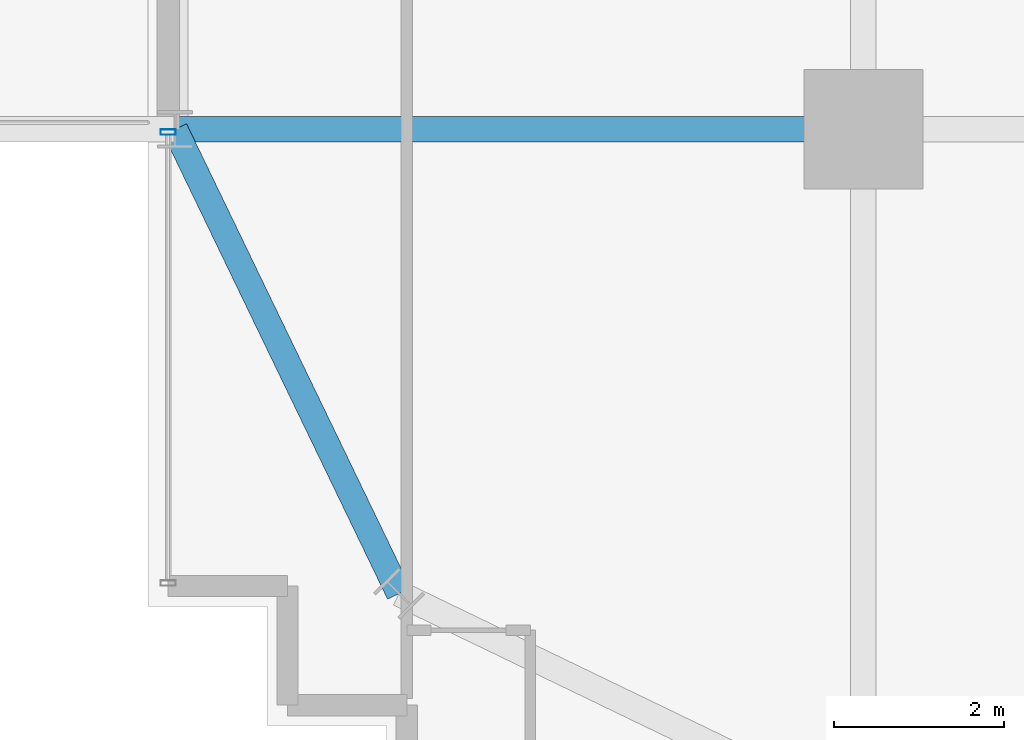
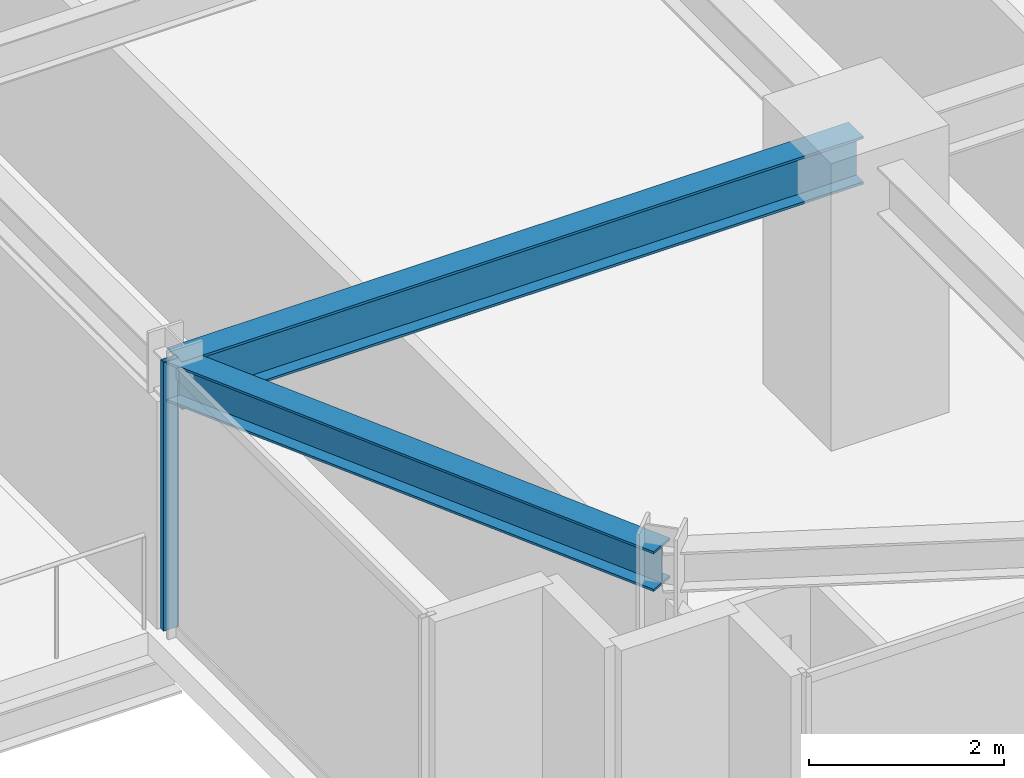
# One storey, part 5 of 37: 2 beams, 1 member, 1 element without a shape of its own.
"""IFC4 building model written with IfcOpenShell, lengths in metres."""

from ifc_helpers import new_model, si_unit, direction, frame, origin, origin_2d, place, context, subcontext, project, spatial, hollow_rectangle, i_section, extrude, source, transform, mapped, material, material_profile, profile_set, type_object, element, aggregate, save


model = new_model("IFC4")

# Units and contexts
model_context = context("Model", 3, precision=1e-05, world=origin(), true_north=direction((0.0, 1.0)))
body_context = subcontext(model_context, "Body", "Model", "MODEL_VIEW")
ifc_project = project(units=[si_unit("LENGTHUNIT", "METRE"), si_unit("AREAUNIT", "SQUARE_METRE"), si_unit("VOLUMEUNIT", "CUBIC_METRE"), si_unit("PLANEANGLEUNIT", "RADIAN"), si_unit("MASSUNIT", "GRAM", prefix="KILO")], contexts=[model_context])

# Site, building, storey
site_placement = place(None, origin())
site = spatial("IfcSite", under=ifc_project, at=site_placement, CompositionType="ELEMENT")
building_placement = place(site_placement, origin())
building = spatial("IfcBuilding", under=site, at=building_placement, Name="Nahalor Promenade Grand Hotel", CompositionType="ELEMENT")
storey_placement = place(building_placement, frame((0.0, 0.0, 36.050048828125)))
storey = spatial("IfcBuildingStorey", under=building, at=storey_placement, Name="L07", CompositionType="ELEMENT", Elevation=36.050048828125)

# Beams
ifc_material_1 = material(Name="Steel S355JR", Category="steel")
ifc_material_profile_1 = material_profile(ifc_material_1, i_section(OverallWidth=0.3, OverallDepth=0.6, WebThickness=0.0155, FlangeThickness=0.03, at=origin_2d()), Name="HEB 600")
ifc_profile_set_1 = profile_set([ifc_material_profile_1], Name="Steel S355JR")
beam_type_1 = type_object("IfcBeamType", Name="Beam-Girder-HEB600", PredefinedType="BEAM", material=ifc_profile_set_1)
shared_shape_1 = source(origin(), body_context, "Body", "SweptSolid", [
    extrude(i_section(OverallWidth=0.3, OverallDepth=0.6, WebThickness=0.0155, FlangeThickness=0.03, at=origin_2d()), origin(), (0.0, 0.0, 1.0), 8.080078125),
])
beam_1_placement = place(storey_placement, frame((-25.080078125, -17.0, 3.070068359375), z_axis=(1.0, 0.0, 0.0), x_axis=(0.0, 1.0, 0.0)))
element("IfcBeam", 1, at=beam_1_placement, inside=storey, type_object=beam_type_1, Name="BM-L07-GX-0-0", PredefinedType="BEAM", context=body_context, shape_type="MappedRepresentation", body=[
    mapped(shared_shape_1, transform((0.0, 0.0, 0.0), scale=1.0)),
])
ifc_material_profile_2 = material_profile(ifc_material_1, i_section(OverallWidth=0.3, OverallDepth=0.5, WebThickness=0.0145, FlangeThickness=0.028, at=origin_2d()), Name="HEB 500")
ifc_profile_set_2 = profile_set([ifc_material_profile_2], Name="Steel S355JR")
beam_type_2 = type_object("IfcBeamType", Name="Beam-Spandrel-HEB500", PredefinedType="SPANDREL", material=ifc_profile_set_2)
shared_shape_2 = source(origin(), body_context, "Body", "SweptSolid", [
    extrude(i_section(OverallWidth=0.3, OverallDepth=0.5, WebThickness=0.0145, FlangeThickness=0.028, at=origin_2d()), origin(), (0.0, 0.0, 1.0), 6.051513671875),
])
beam_2_placement = place(storey_placement, frame((-22.449951171875, -22.449951171875, 3.119873046875), z_axis=(-0.434630596492, 0.900608818852, 0.0), x_axis=(-0.900608818852, -0.434630596492, 0.0)))
element("IfcBeam", 2, at=beam_2_placement, inside=storey, type_object=beam_type_2, Name="BM-L07-SPC-SW-2", PredefinedType="SPANDREL", context=body_context, shape_type="MappedRepresentation", body=[
    mapped(shared_shape_2, transform((0.0, 0.0, 0.0), scale=1.0)),
])

# Curtain wall, member
ifc_material_2 = material(Name="Anodised Bronze Aluminium EN AW-6063 T6", Category="aluminium")
curtain_wall_type = type_object("IfcCurtainWallType", Name="CW2 Typical Hotel Flush Bronze Unitised Curtain Wall", PredefinedType="USERDEFINED", material=ifc_material_2)
curtain_wall_placement = place(storey_placement, origin())
curtain_wall = element("IfcCurtainWall", 3, at=curtain_wall_placement, inside=storey, type_object=curtain_wall_type, Name="L07 Curtain Wall CW-L07-W-1", ObjectType="UNITISED_CURTAIN_WALL", PredefinedType="USERDEFINED")
ifc_material_profile_3 = material_profile(ifc_material_2, hollow_rectangle(XDim=0.065, YDim=0.18, WallThickness=0.004, at=origin_2d()), Name="CWM 65x180x4")
ifc_profile_set_3 = profile_set([ifc_material_profile_3], Name="Anodised Bronze Aluminium EN AW-6063 T6")
member_type = type_object("IfcMemberType", Name="CWM2 Typical Bronze Mullion 65x180", PredefinedType="MULLION", material=ifc_profile_set_3)
shared_shape_3 = source(origin(), body_context, "Body", "SweptSolid", [
    extrude(hollow_rectangle(XDim=0.065, YDim=0.18, WallThickness=0.004, at=origin_2d()), origin(), (0.0, 0.0, 1.0), 3.369873046875),
])
member_placement = place(storey_placement, frame((-25.159912109375, -17.032470703125, 0.0), z_axis=(0.0, 0.0, 1.0), x_axis=(0.0, 1.0, 0.0)))
member = element("IfcMember", 4, at=member_placement, type_object=member_type, Name="CW-L07-W-1 Mullion 1", PredefinedType="MULLION", context=body_context, shape_type="MappedRepresentation", body=[
    mapped(shared_shape_3, transform((0.0, 0.0, 0.0), scale=1.0)),
])
aggregate(curtain_wall, [member])

save(model, "model.ifc")
